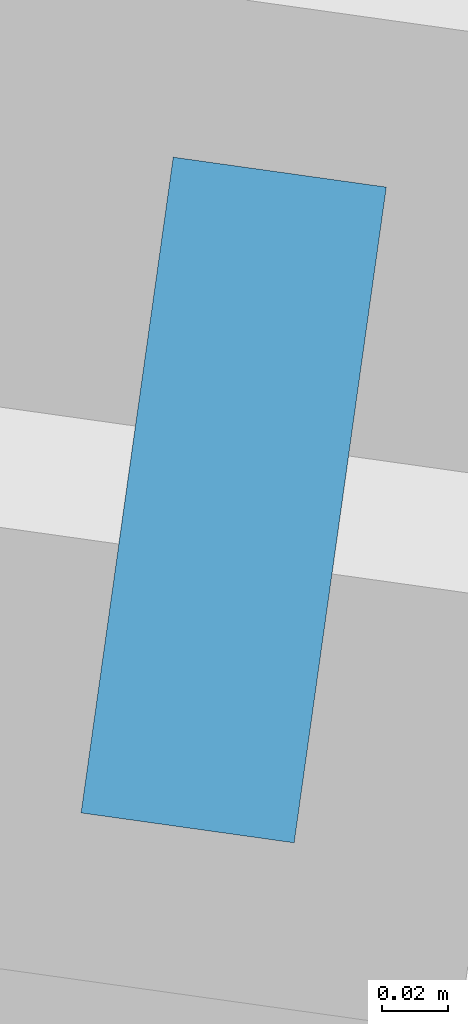
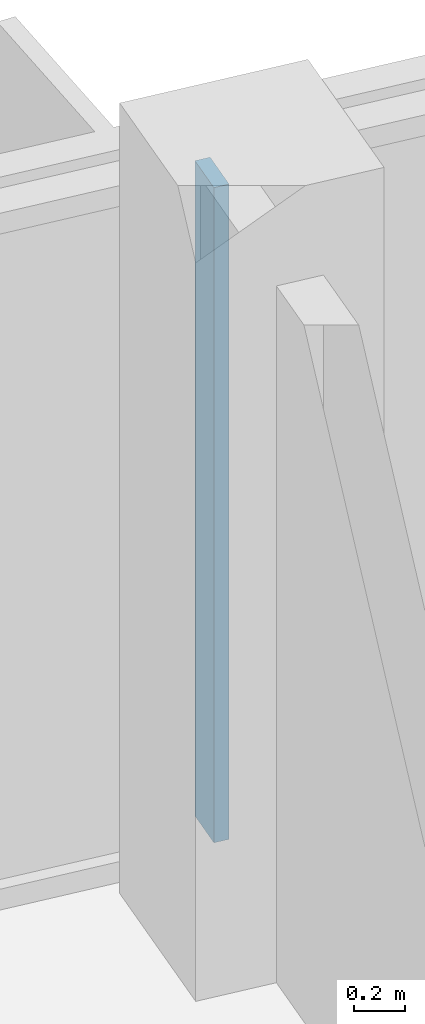
# One storey, part 3 of 26: 1 member, 1 element without a shape of its own.
"""IFC4 building model written with IfcOpenShell, lengths in metres."""

import ifcopenshell
import ifcopenshell.guid

model = None  # the IFC model being written
_history = None  # IfcOwnerHistory: only IFC2X3 demands one
_inside = {}  # id of a spatial element -> (the spatial element, [elements in it])
_under = {}  # id of a project, library or spatial element -> (it, [spatial elements below it])
_declared = {}  # id of a project -> (the project, [libraries it declares])
_typed = {}  # id of a type object -> (the type object, [elements of that type])
_made_of = {}  # id of a material, layer set ... -> (it, [elements and type objects made of it])


def new_model(schema):
    """Start an empty IFC model of exactly this schema.

    Asked for "IFC4X3", IfcOpenShell would pick the latest addendum, in which some entities
    have other attributes; the version numbers below select the first issue.
    IFC2X3 requires an IfcOwnerHistory on every rooted entity: one is made here for all.
    """
    global model, _history
    if schema == "IFC4X3":
        model = ifcopenshell.file(schema_version=(4, 3, 0, 0))
    else:
        model = ifcopenshell.file(schema=schema)
    _inside.clear()
    _under.clear()
    _declared.clear()
    _typed.clear()
    _made_of.clear()
    _history = None
    if model.schema == "IFC2X3":
        org = make("IfcOrganization", Name="unknown")
        user = make(
            "IfcPersonAndOrganization",
            ThePerson=make("IfcPerson", FamilyName="unknown"),
            TheOrganization=org,
        )
        app = make(
            "IfcApplication",
            ApplicationDeveloper=org,
            Version="unknown",
            ApplicationFullName="unknown",
            ApplicationIdentifier="unknown",
        )
        _history = make(
            "IfcOwnerHistory",
            OwningUser=user,
            OwningApplication=app,
            ChangeAction="ADDED",
            CreationDate=0,
        )
    return model


def make(cls, **values):
    """One entity of the class cls with the attributes given. An attribute that is None is left unset."""
    return model.create_entity(
        cls, **{name: value for name, value in values.items() if value is not None}
    )


def rooted(cls, **values):
    """An entity with a GlobalId (a new one), such as an element, a storey or a relation."""
    return make(cls, GlobalId=ifcopenshell.guid.new(), OwnerHistory=_history, **values)


def si_unit(unit_type, name, prefix=None):
    """IfcSIUnit, for example si_unit("LENGTHUNIT", "METRE", prefix="MILLI")."""
    return make("IfcSIUnit", UnitType=unit_type, Prefix=prefix, Name=name)


def assignment(units):
    """IfcUnitAssignment: the units of a project."""
    return None if units is None else make("IfcUnitAssignment", Units=units)


def point(xyz):
    """IfcCartesianPoint."""
    return None if xyz is None else make("IfcCartesianPoint", Coordinates=xyz)


def direction(xyz):
    """IfcDirection."""
    return None if xyz is None else make("IfcDirection", DirectionRatios=xyz)


def frame(location, z_axis=None, x_axis=None):
    """IfcAxis2Placement3D, a coordinate frame: its origin and axes. An axis left out is left unset."""
    return make(
        "IfcAxis2Placement3D",
        Location=point(location),
        Axis=direction(z_axis),
        RefDirection=direction(x_axis),
    )


def frame_2d(location, x_axis=None):
    """IfcAxis2Placement2D, a coordinate frame in the plane: its origin and x axis."""
    return make(
        "IfcAxis2Placement2D", Location=point(location), RefDirection=direction(x_axis)
    )


def origin():
    """The frame at (0, 0, 0) with its axes left unset."""
    return frame((0.0, 0.0, 0.0))


def origin_2d():
    """The frame at (0, 0) in the plane with its x axis left unset."""
    return frame_2d((0.0, 0.0))


def place(relative_to, where):
    """IfcLocalPlacement: puts the frame where relative to a parent placement (None: the world)."""
    return make(
        "IfcLocalPlacement", PlacementRelTo=relative_to, RelativePlacement=where
    )


def context(
    kind, dimensions, precision=None, world=None, true_north=None, identifier=None
):
    """IfcGeometricRepresentationContext, for example the 3D "Model" context."""
    return make(
        "IfcGeometricRepresentationContext",
        ContextIdentifier=identifier,
        ContextType=kind,
        CoordinateSpaceDimension=dimensions,
        Precision=precision,
        WorldCoordinateSystem=world,
        TrueNorth=true_north,
    )


def subcontext(parent, identifier, kind, view, scale=None):
    """IfcGeometricRepresentationSubContext, for example "Body" below "Model"."""
    return make(
        "IfcGeometricRepresentationSubContext",
        ContextIdentifier=identifier,
        ContextType=kind,
        ParentContext=parent,
        TargetScale=scale,
        TargetView=view,
    )


def project(units=None, contexts=None):
    """IfcProject with its units and contexts."""
    return rooted(
        "IfcProject",
        Name="project",
        RepresentationContexts=contexts,
        UnitsInContext=assignment(units),
    )


def spatial(cls, under=None, at=None, **own):
    """A site, building, storey or space (cls), placed at a placement, below another one or the project."""
    s = rooted(cls, ObjectPlacement=at, **own)
    if under is not None:
        _under.setdefault(under.id(), (under, []))[1].append(s)
    return s


def profile(cls, at=None, kind="AREA", **sizes):
    """A parametric profile (cls). Its sizes go by their IFC names, for example OverallWidth=200.0."""
    return make(cls, ProfileType=kind, Position=at, **sizes)


def rectangle(**sizes):
    """IfcRectangleProfileDef."""
    return profile("IfcRectangleProfileDef", **sizes)


def extrude(swept, where, along, depth):
    """IfcExtrudedAreaSolid: the profile swept, set in the frame where, extruded along a direction by depth."""
    return make(
        "IfcExtrudedAreaSolid",
        SweptArea=swept,
        Position=where,
        ExtrudedDirection=direction(along),
        Depth=depth,
    )


def shape(context_of_items, identifier, shape_type, items):
    """IfcShapeRepresentation: the items that make up one representation, for example the "Body"."""
    return make(
        "IfcShapeRepresentation",
        ContextOfItems=context_of_items,
        RepresentationIdentifier=identifier,
        RepresentationType=shape_type,
        Items=items,
    )


def material(Name=None, Category=None):
    """IfcMaterial."""
    return make("IfcMaterial", Name=Name, Category=Category)


def material_profile(
    of_material, cross_section, Name=None, Category=None, Priority=None
):
    """IfcMaterialProfile: a cross section and its material."""
    return make(
        "IfcMaterialProfile",
        Name=Name,
        Material=of_material,
        Profile=cross_section,
        Priority=Priority,
        Category=Category,
    )


def profile_set(profiles, Name=None, composite=None):
    """IfcMaterialProfileSet."""
    return make(
        "IfcMaterialProfileSet",
        Name=Name,
        MaterialProfiles=profiles,
        CompositeProfile=composite,
    )


def made_of(thing, what):
    """Note that an element or type object is made of a material, layer set ...; save() writes the relation."""
    if what is not None:
        _made_of.setdefault(what.id(), (what, []))[1].append(thing)
    return thing


def type_object(cls, material=None, **own):
    """A type object (cls), such as IfcWallType, which elements share."""
    return made_of(rooted(cls, **own), material)


def element(
    cls,
    number,
    at=None,
    inside=None,
    cuts=None,
    type_object=None,
    material=None,
    context=None,
    identifier="Body",
    shape_type=None,
    held_by="IfcProductDefinitionShape",
    body=None,
    shapes=None,
    **own,
):
    """One element of the class cls, such as IfcWall. Its Tag is "e" and its number.

    at: its placement. inside: the storey or other place that contains it. cuts: it is an
    opening in that element (IfcRelVoidsElement). A single representation is given by context,
    identifier, shape_type and body (its items); several are given by shapes. held_by: the class
    of the entity that holds the representations. save() writes the other relations.
    """
    e = rooted(cls, Tag="e%d" % number, ObjectPlacement=at, **own)
    if body is not None:
        shapes = [shape(context, identifier, shape_type, body)]
    if shapes is not None:
        e.Representation = make(held_by, Representations=shapes)
    if inside is not None:
        _inside.setdefault(inside.id(), (inside, []))[1].append(e)
    if cuts is not None:
        rooted(
            "IfcRelVoidsElement", RelatingBuildingElement=cuts, RelatedOpeningElement=e
        )
    if type_object is not None:
        _typed.setdefault(type_object.id(), (type_object, []))[1].append(e)
    return made_of(e, material)


def aggregate(whole, parts):
    """IfcRelAggregates: a whole, such as a stair, and the parts it consists of."""
    return rooted("IfcRelAggregates", RelatingObject=whole, RelatedObjects=parts)


def save(model, path):
    """Write the relations noted so far, then the file.

    IfcRelAggregates (storeys below a building ...), IfcRelContainedInSpatialStructure (elements
    in a storey), IfcRelDefinesByType, IfcRelAssociatesMaterial and IfcRelDeclares: one each for
    every whole, place, type object, material and project.
    """
    for whole, parts in _under.values():
        aggregate(whole, parts)
    for where, things in _inside.values():
        rooted(
            "IfcRelContainedInSpatialStructure",
            RelatedElements=things,
            RelatingStructure=where,
        )
    for kind, things in _typed.values():
        rooted("IfcRelDefinesByType", RelatedObjects=things, RelatingType=kind)
    for what, things in _made_of.values():
        rooted("IfcRelAssociatesMaterial", RelatedObjects=things, RelatingMaterial=what)
    for by, libraries in _declared.values():
        rooted("IfcRelDeclares", RelatingContext=by, RelatedDefinitions=libraries)
    model.write(path)


model = new_model("IFC4")

# Units and contexts
model_context = context("Model", 3, precision=1e-05, world=origin(), true_north=direction((0.0, 1.0)))
body_context = subcontext(model_context, "Body", "Model", "MODEL_VIEW")
ifc_project = project(units=[si_unit("LENGTHUNIT", "METRE"), si_unit("AREAUNIT", "SQUARE_METRE"), si_unit("VOLUMEUNIT", "CUBIC_METRE"), si_unit("PLANEANGLEUNIT", "RADIAN"), si_unit("MASSUNIT", "GRAM", prefix="KILO")], contexts=[model_context])

# Site, building, storey
site_placement = place(None, origin())
site = spatial("IfcSite", under=ifc_project, at=site_placement, CompositionType="ELEMENT")
building_placement = place(site_placement, origin())
building = spatial("IfcBuilding", under=site, at=building_placement, Name="Mirante Cascada Hotel Towers", CompositionType="ELEMENT")
storey_placement = place(building_placement, frame((0.0, 0.0, 161.2)))
storey = spatial("IfcBuildingStorey", under=building, at=storey_placement, Name="L37", CompositionType="ELEMENT", Elevation=161.2)

# Curtain wall, member
ifc_material_1 = material(Name="Aluminium mullion and transom frame with clear laminated glass", Category="aluminium")
curtain_wall_type = type_object("IfcCurtainWallType", Name="Ribbon curtain wall ECW1", PredefinedType="NOTDEFINED", material=ifc_material_1)
curtain_wall_placement = place(storey_placement, origin())
curtain_wall = element("IfcCurtainWall", 1, at=curtain_wall_placement, inside=storey, type_object=curtain_wall_type, Name="Front ribbon wall T1 L37", PredefinedType="NOTDEFINED")
ifc_material_2 = material(Name="Anodised aluminium extrusion", Category="aluminium")
ifc_material_profile = material_profile(ifc_material_2, rectangle(XDim=0.2, YDim=0.065, at=origin_2d()), Name="ECW1 MULLION 65x200")
ifc_profile_set = profile_set([ifc_material_profile], Name="Anodised aluminium extrusion")
member_type = type_object("IfcMemberType", Name="ECW1 mullion 65x200", PredefinedType="MULLION", material=ifc_profile_set)
member_placement = place(storey_placement, frame((-62.9738, 21.6694, 0.1), z_axis=(0.0, 0.0, 1.0), x_axis=(0.1391731, 0.9902681, 0.0)))
member = element("IfcMember", 2, at=member_placement, type_object=member_type, Name="ECW1 mullion 6", PredefinedType="MULLION", context=body_context, shape_type="SweptSolid", body=[
    extrude(rectangle(XDim=0.2, YDim=0.065, at=origin_2d()), origin(), (0.0, 0.0, 1.0), 3.15),
])
aggregate(curtain_wall, [member])

save(model, "model.ifc")
